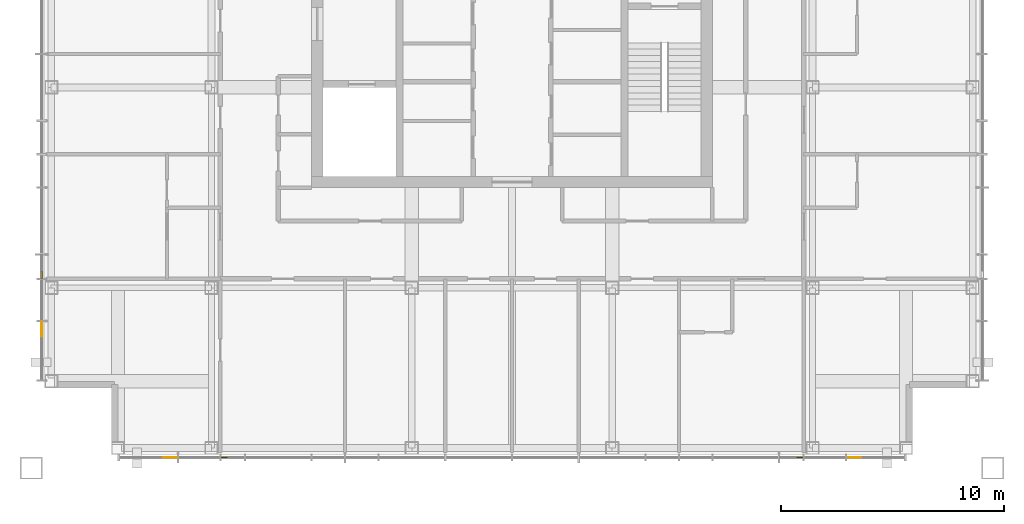
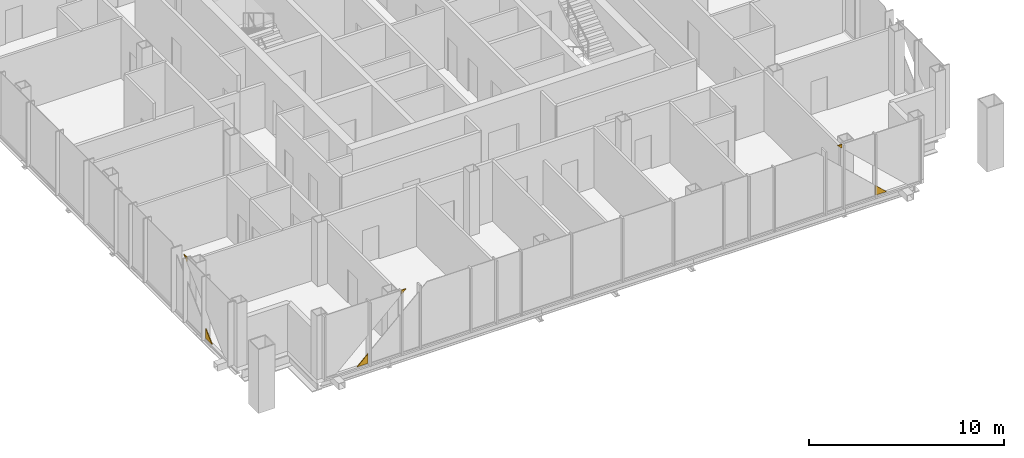
# One storey, part 13 of 16: 6 coverings.
"""IFC4 building model written with IfcOpenShell, lengths in metres."""

from ifc_helpers import new_model, si_unit, direction, frame, origin, place, context, subcontext, project, spatial, polyline, outline, extrude, material, layer, layer_set, type_object, element, save


model = new_model("IFC4")

# Units and contexts
model_context = context("Model", 3, precision=1e-05, world=origin(), true_north=direction((0.0, 1.0)))
body_context = subcontext(model_context, "Body", "Model", "MODEL_VIEW")
ifc_project = project(units=[si_unit("LENGTHUNIT", "METRE"), si_unit("AREAUNIT", "SQUARE_METRE"), si_unit("VOLUMEUNIT", "CUBIC_METRE"), si_unit("PLANEANGLEUNIT", "RADIAN"), si_unit("MASSUNIT", "GRAM", prefix="KILO")], contexts=[model_context])

# Site, building, storey
site_placement = place(None, origin())
site = spatial("IfcSite", under=ifc_project, at=site_placement, CompositionType="ELEMENT")
building_placement = place(site_placement, origin())
building = spatial("IfcBuilding", under=site, at=building_placement, Name="Malebo Sky Hospital", CompositionType="ELEMENT")
storey_placement = place(building_placement, frame((0.0, 0.0, 254.0)))
storey = spatial("IfcBuildingStorey", under=building, at=storey_placement, Name="L61", CompositionType="ELEMENT", Elevation=254.0)

# Coverings
ifc_material = material(Name="Anodised aluminium, natural silver insulated infill panel", Category="aluminium")
ifc_layer = layer(ifc_material, 0.0400390625)
ifc_layer_set = layer_set([ifc_layer], Name="BRACE INFILL PANEL 40")
covering_type = type_object("IfcCoveringType", Name="BRACE INFILL PANEL 40", PredefinedType="CLADDING", material=ifc_layer_set)
covering_1_placement = place(storey_placement, frame((38.875, 46.6357421875, 0.10009765625), z_axis=(0.0, 0.0, 1.0), x_axis=(0.0, 1.0, 0.0)))
element("IfcCovering", 1, at=covering_1_placement, inside=storey, type_object=covering_type, Name="Brace infill panel 1.1", PredefinedType="CLADDING", context=body_context, shape_type="SweptSolid", body=[
    extrude(outline(polyline([(-0.32666015625, 0.0), (0.32666015625, 0.0), (0.32666015625, 0.61181640625), (-0.32666015625, 0.0)])), frame((0.0, 0.02001953125, 0.0), z_axis=(0.0, -1.0, 0.0), x_axis=(1.0, 0.0, 0.0)), (0.0, 0.0, 1.0), 0.0400390625),
])
covering_2_placement = place(storey_placement, frame((38.875, 49.077880859375, 3.726806640625), z_axis=(0.0, 0.0, 1.0), x_axis=(0.0, 1.0, 0.0)))
element("IfcCovering", 2, at=covering_2_placement, inside=storey, type_object=covering_type, Name="Brace infill panel 3.1", PredefinedType="CLADDING", context=body_context, shape_type="SweptSolid", body=[
    extrude(outline(polyline([(-0.140380859375, 0.0), (0.140380859375, 0.26318359375), (-0.140380859375, 0.26318359375), (-0.140380859375, 0.0)])), frame((0.0, 0.02001953125, 0.0), z_axis=(0.0, -1.0, 0.0), x_axis=(1.0, 0.0, 0.0)), (0.0, 0.0, 1.0), 0.0400390625),
])
covering_3_placement = place(storey_placement, frame((75.3642578125, 40.875, 0.10009765625), z_axis=(0.0, 0.0, 1.0), x_axis=(-1.0, 0.0, 0.0)))
element("IfcCovering", 3, at=covering_3_placement, inside=storey, type_object=covering_type, Name="Brace infill panel 1.1", PredefinedType="CLADDING", context=body_context, shape_type="SweptSolid", body=[
    extrude(outline(polyline([(-0.32666015625, 0.0), (0.32666015625, 0.0), (0.32666015625, 0.61181640625), (-0.32666015625, 0.0)])), frame((0.0, 0.02001953125, 0.0), z_axis=(0.0, -1.0, 0.0), x_axis=(1.0, 0.0, 0.0)), (0.0, 0.0, 1.0), 0.0400390625),
])
covering_4_placement = place(storey_placement, frame((72.922119140625, 40.875, 3.726806640625), z_axis=(0.0, 0.0, 1.0), x_axis=(-1.0, 0.0, 0.0)))
element("IfcCovering", 4, at=covering_4_placement, inside=storey, type_object=covering_type, Name="Brace infill panel 3.1", PredefinedType="CLADDING", context=body_context, shape_type="SweptSolid", body=[
    extrude(outline(polyline([(-0.140380859375, 0.0), (0.140380859375, 0.26318359375), (-0.140380859375, 0.26318359375), (-0.140380859375, 0.0)])), frame((0.0, 0.02001953125, 0.0), z_axis=(0.0, -1.0, 0.0), x_axis=(1.0, 0.0, 0.0)), (0.0, 0.0, 1.0), 0.0400390625),
])
covering_5_placement = place(storey_placement, frame((47.077880859375, 40.875, 3.726806640625), z_axis=(0.0, 0.0, 1.0), x_axis=(-1.0, 0.0, 0.0)))
element("IfcCovering", 5, at=covering_5_placement, inside=storey, type_object=covering_type, Name="Brace infill panel 14.1", PredefinedType="CLADDING", context=body_context, shape_type="SweptSolid", body=[
    extrude(outline(polyline([(0.140380859375, 0.0), (0.140380859375, 0.26318359375), (-0.140380859375, 0.26318359375), (0.140380859375, 0.0)])), frame((0.0, 0.02001953125, 0.0), z_axis=(0.0, -1.0, 0.0), x_axis=(1.0, 0.0, 0.0)), (0.0, 0.0, 1.0), 0.0400390625),
])
covering_6_placement = place(storey_placement, frame((44.6357421875, 40.875, 0.10009765625), z_axis=(0.0, 0.0, 1.0), x_axis=(-1.0, 0.0, 0.0)))
element("IfcCovering", 6, at=covering_6_placement, inside=storey, type_object=covering_type, Name="Brace infill panel 16.1", PredefinedType="CLADDING", context=body_context, shape_type="SweptSolid", body=[
    extrude(outline(polyline([(-0.32666015625, 0.0), (0.32666015625, 0.0), (-0.32666015625, 0.61181640625), (-0.32666015625, 0.0)])), frame((0.0, 0.02001953125, 0.0), z_axis=(0.0, -1.0, 0.0), x_axis=(1.0, 0.0, 0.0)), (0.0, 0.0, 1.0), 0.0400390625),
])

save(model, "model.ifc")
